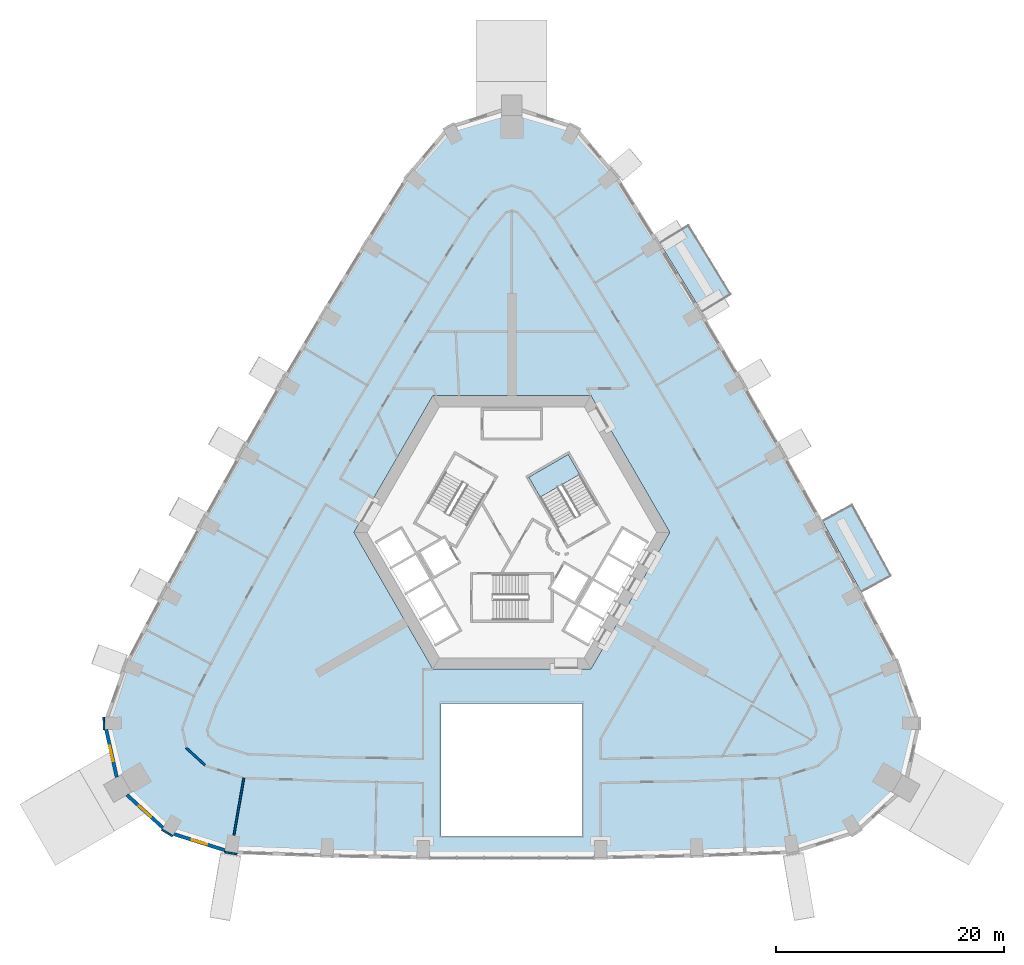
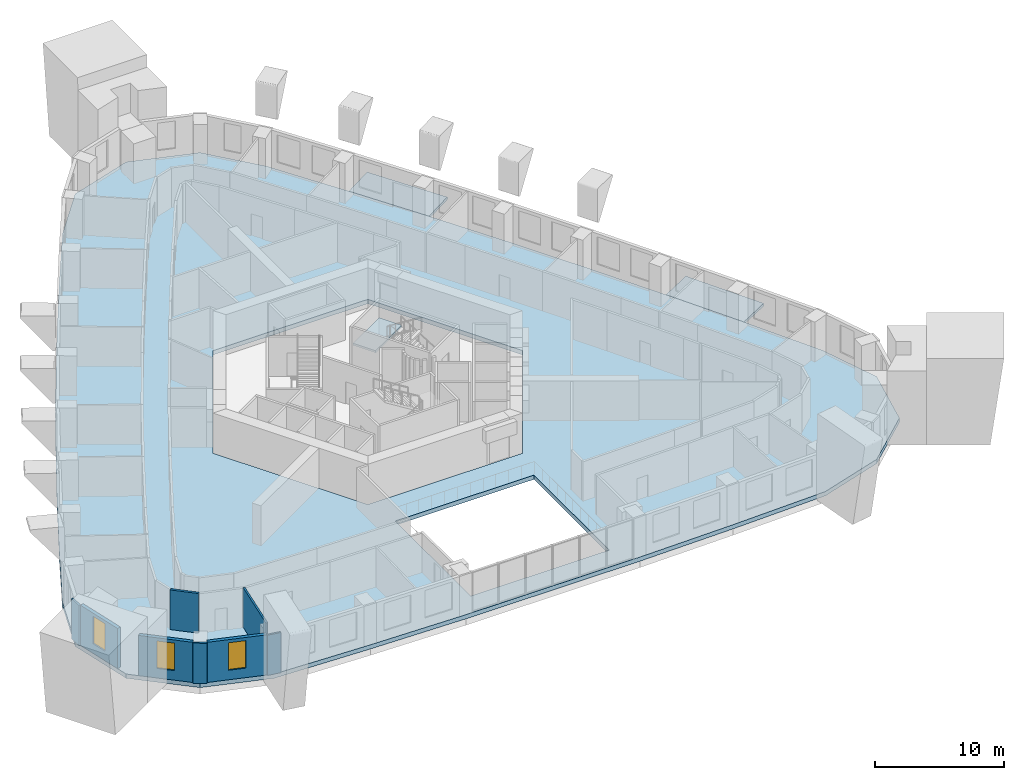
# One storey, part 3 of 14: 8 walls, 4 slabs, 3 windows, 3 openings, 1 element without a shape of its own.
"""IFC4 building model written with IfcOpenShell, lengths in metres."""

from ifc_helpers import new_model, si_unit, direction, frame, frame_2d, origin, place, context, subcontext, project, spatial, polyline, rectangle, outline, extrude, material, layer, layer_set, type_object, element, fill, aggregate, save


model = new_model("IFC4")

# Units and contexts
model_context = context("Model", 3, precision=1e-05, world=origin(), true_north=direction((0.0, 1.0)))
body_context = subcontext(model_context, "Body", "Model", "MODEL_VIEW")
ifc_project = project(units=[si_unit("LENGTHUNIT", "METRE"), si_unit("AREAUNIT", "SQUARE_METRE"), si_unit("VOLUMEUNIT", "CUBIC_METRE"), si_unit("PLANEANGLEUNIT", "RADIAN"), si_unit("MASSUNIT", "GRAM", prefix="KILO")], contexts=[model_context])

# Site, building, storey
site_placement = place(None, origin())
site = spatial("IfcSite", under=ifc_project, at=site_placement, CompositionType="ELEMENT")
building_placement = place(site_placement, origin())
building = spatial("IfcBuilding", under=site, at=building_placement, Name="Entoto Arch Interchange Tower", CompositionType="ELEMENT")
storey_placement = place(building_placement, frame((0.0, 0.0, 176.0)))
storey = spatial("IfcBuildingStorey", under=building, at=storey_placement, Name="L39", CompositionType="ELEMENT", Elevation=176.0)

# Slabs
ifc_material_1 = material(Name="Board-marked precast concrete C50/60", Category="concrete")
ifc_layer_1 = layer(ifc_material_1, 0.25)
ifc_layer_set_1 = layer_set([ifc_layer_1], Name="Board-marked precast concrete C50/60")
slab_type_1 = type_object("IfcSlabType", Name="BALCONY DECK PRECAST 250", PredefinedType="FLOOR", material=ifc_layer_set_1)
slab_1_placement = place(storey_placement, frame((0.0, 0.0, -0.25)))
element("IfcSlab", 1, at=slab_1_placement, inside=storey, type_object=slab_type_1, Name="Planted balcony NE-02 L39", PredefinedType="FLOOR", context=body_context, shape_type="SweptSolid", body=[
    extrude(outline(polyline([(30.64111328125, -2.715087890625), (27.257080078125, 3.492919921875), (29.846923828125, 4.905029296875), (33.23095703125, -1.302978515625), (30.64111328125, -2.715087890625)])), origin(), (0.0, 0.0, 1.0), 0.25),
])
slab_2_placement = place(storey_placement, frame((0.0, 0.0, -0.25)))
element("IfcSlab", 2, at=slab_2_placement, inside=storey, type_object=slab_type_1, Name="Planted balcony NE-06 L39", PredefinedType="FLOOR", context=body_context, shape_type="SweptSolid", body=[
    extrude(outline(polyline([(16.654052734375, 21.85888671875), (12.968994140625, 27.89306640625), (15.487060546875, 29.430908203125), (19.172119140625, 23.39697265625), (16.654052734375, 21.85888671875)])), origin(), (0.0, 0.0, 1.0), 0.25),
])

# Stair, slab
ifc_material_2 = material(Name="Concrete C40/50", Category="concrete")
stair_type = type_object("IfcStairType", Name="EXIT STAIR RC 1800", PredefinedType="HALF_TURN_STAIR", material=ifc_material_2)
stair_placement = place(storey_placement, origin())
stair = element("IfcStair", 3, at=stair_placement, inside=storey, type_object=stair_type, Name="L39 Exit stair NE", PredefinedType="HALF_TURN_STAIR")
ifc_layer_2 = layer(ifc_material_2, 0.199951171875)
ifc_layer_set_2 = layer_set([ifc_layer_2], Name="Concrete C40/50")
slab_type_2 = type_object("IfcSlabType", Name="EXIT STAIR LANDING RC 200", PredefinedType="LANDING", material=ifc_layer_set_2)
slab_3_placement = place(storey_placement, frame((0.0, 0.0, 1.89990234375)))
slab_3 = element("IfcSlab", 4, at=slab_3_placement, type_object=slab_type_2, Name="ST-NE landing 1", PredefinedType="LANDING", context=body_context, shape_type="SweptSolid", body=[
    extrude(outline(polyline([(5.953369140625, 7.58837890625), (4.943359375, 9.337890625), (1.479248046875, 7.337890625), (2.4892578125, 5.58837890625), (5.953369140625, 7.58837890625)])), origin(), (0.0, 0.0, 1.0), 0.2001953125),
])
aggregate(stair, [slab_3])

# Slab
ifc_layer_3 = layer(ifc_material_2, 0.39990234375)
ifc_layer_set_3 = layer_set([ifc_layer_3], Name="Concrete C40/50")
slab_type_3 = type_object("IfcSlabType", Name="Post-tensioned flat plate 400 C40/50", PredefinedType="FLOOR", material=ifc_layer_set_3)
slab_4_placement = place(storey_placement, frame((0.0, 0.0, -0.39990234375)))
element("IfcSlab", 5, at=slab_4_placement, inside=storey, type_object=slab_type_3, Name="Floor slab L39", PredefinedType="FLOOR", context=body_context, shape_type="SweptSolid", body=[
    extrude(outline(polyline([(-24.6689453125, -25.7119140625), (-16.23388671875, -26.012939453125), (-7.800048828125, -26.18896484375), (7.800048828125, -26.18896484375), (16.23388671875, -26.012939453125), (24.6689453125, -25.7119140625), (30.281005859375, -23.930908203125), (34.59912109375, -19.97509765625), (35.864990234375, -14.258056640625), (34.027099609375, -9.116943359375), (30.64111328125, -2.715087890625), (27.257080078125, 3.492919921875), (23.798095703125, 9.658935546875), (20.263916015625, 15.781005859375), (16.654052734375, 21.85888671875), (12.968994140625, 27.89306640625), (9.117919921875, 34.027099609375), (5.5849609375, 38.18896484375), (0.0, 39.950927734375), (-5.5849609375, 38.18896484375), (-9.117919921875, 34.027099609375), (-12.968994140625, 27.89306640625), (-16.654052734375, 21.85888671875), (-20.263916015625, 15.781005859375), (-23.798095703125, 9.658935546875), (-27.257080078125, 3.492919921875), (-30.64111328125, -2.715087890625), (-34.027099609375, -9.116943359375), (-35.864990234375, -14.258056640625), (-34.59912109375, -19.97509765625), (-30.281005859375, -23.930908203125), (-24.6689453125, -25.7119140625)]), holes=[polyline([(6.199951171875, -24.18896484375), (6.199951171875, -12.5), (-6.199951171875, -12.5), (-6.199951171875, -24.18896484375), (6.199951171875, -24.18896484375)]), polyline([(13.85595703125, 2.5), (6.927978515625, 14.5), (-6.927978515625, 14.5), (-13.85595703125, 2.5), (-6.927978515625, -9.5), (6.927978515625, -9.5), (13.85595703125, 2.5)])]), origin(), (0.0, 0.0, 1.0), 0.39990234375),
])

# Walls
ifc_material_3 = material(Name="Gypsum board partition on steel studs", Category="steel")
ifc_layer_4 = layer(ifc_material_3, 0.14990234375)
ifc_layer_set_4 = layer_set([ifc_layer_4], Name="Gypsum board partition on steel studs")
wall_type_1 = type_object("IfcWallType", Name="PARTITION 150", PredefinedType="PARTITIONING", material=ifc_layer_set_4)
wall_1_placement = place(storey_placement, frame((-23.514892578125, -19.049072265625, 0.0), z_axis=(0.0, 0.0, 1.0), x_axis=(-0.170669435204, -0.985328343187, 0.0)))
element("IfcWall", 6, at=wall_1_placement, inside=storey, type_object=wall_type_1, Name="wall:L39:p127", PredefinedType="PARTITIONING", context=body_context, shape_type="SweptSolid", body=[
    extrude(rectangle(XDim=5.092529296875, YDim=0.14990234375, at=frame_2d((2.54638671875, 0.0))), origin(), (0.0, 0.0, 1.0), 3.75),
])
ifc_layer_5 = layer(ifc_material_3, 0.199951171875)
ifc_layer_set_5 = layer_set([ifc_layer_5], Name="Gypsum board partition on steel studs")
wall_type_2 = type_object("IfcWallType", Name="PARTITION 200", PredefinedType="PARTITIONING", material=ifc_layer_set_5)
wall_2_placement = place(storey_placement, frame((-26.9189453125, -17.925048828125, 0.0), z_axis=(0.0, 0.0, 1.0), x_axis=(-0.737118331834, 0.675763690112, 0.0)))
element("IfcWall", 7, at=wall_2_placement, inside=storey, type_object=wall_type_2, Name="wall:L39:p072", PredefinedType="PARTITIONING", context=body_context, shape_type="SweptSolid", body=[
    extrude(rectangle(XDim=2.26416015625, YDim=0.199951171875, at=frame_2d((1.132080078125, 0.0))), origin(), (0.0, 0.0, 1.0), 3.75),
])

# Wall, opening, window
ifc_material_4 = material(Name="Welded tuff (ignimbrite) cladding, warm buff", Category="masonry")
ifc_layer_6 = layer(ifc_material_4, 0.300048828125)
ifc_layer_set_6 = layer_set([ifc_layer_6], Name="Welded tuff (ignimbrite) cladding, warm buff")
wall_type_3 = type_object("IfcWallType", Name="STONE INFILL WALL 300", PredefinedType="STANDARD", material=ifc_layer_set_6)
wall_3_placement = place(storey_placement, frame((-35.591064453125, -14.801025390625, 0.0), z_axis=(0.0, 0.0, 1.0), x_axis=(0.216102175589, -0.976370754225, 0.0)))
wall_3 = element("IfcWall", 8, at=wall_3_placement, inside=storey, type_object=wall_type_3, Name="Facade wall SW-02 L39", PredefinedType="STANDARD", context=body_context, shape_type="SweptSolid", body=[
    extrude(rectangle(XDim=4.276123046875, YDim=0.300048828125, at=frame_2d((2.13818359375, 0.0))), origin(), (0.0, 0.0, 1.0), 3.800048828125),
])
opening_1_placement = place(wall_3_placement, frame((1.43798828125, 0.0, 0.89990234375)))
opening_1 = element("IfcOpeningElement", 9, at=opening_1_placement, cuts=wall_3, Name="Opening WO-B", PredefinedType="OPENING", context=body_context, shape_type="SweptSolid", body=[
    extrude(rectangle(XDim=1.39990234375, YDim=2.60009765625, at=frame_2d((0.699951171875, 1.300048828125))), frame((0.0, 0.16015625, 0.0), z_axis=(0.0, -1.0, 0.0), x_axis=(1.0, 0.0, 0.0)), (0.0, 0.0, 1.0), 0.320068359375),
])
ifc_material_5 = material(Name="Clear glass, low-e double glazed", Category="glass")
window_type = type_object("IfcWindowType", Name="WINDOW WO-B 1400x2600", PartitioningType="DOUBLE_PANEL_VERTICAL", PredefinedType="WINDOW", material=ifc_material_5)
window_1_placement = place(opening_1_placement, origin())
window_1 = element("IfcWindow", 10, at=window_1_placement, inside=storey, type_object=window_type, Name="Window WO-B SW-02 L39", OverallHeight=2.60009765625, OverallWidth=1.39990234375, PartitioningType="SINGLE_PANEL", PredefinedType="WINDOW", context=body_context, shape_type="SweptSolid", body=[
    extrude(rectangle(XDim=1.39990234375, YDim=2.60009765625, at=frame_2d((0.699951171875, 1.300048828125))), frame((0.0, 0.030029296875, 0.0), z_axis=(0.0, -1.0, 0.0), x_axis=(1.0, 0.0, 0.0)), (0.0, 0.0, 1.0), 0.06005859375),
])
fill(opening_1, window_1)

wall_4_placement = place(storey_placement, frame((-33.76806640625, -20.532958984375, 0.0), z_axis=(0.0, 0.0, 1.0), x_axis=(0.737279680174, -0.675587650274, 0.0)))
wall_4 = element("IfcWall", 11, at=wall_4_placement, inside=storey, type_object=wall_type_3, Name="Facade wall SW-03 L39", PredefinedType="STANDARD", context=body_context, shape_type="SweptSolid", body=[
    extrude(rectangle(XDim=4.278076171875, YDim=0.300048828125, at=frame_2d((2.13916015625, 0.0))), origin(), (0.0, 0.0, 1.0), 3.800048828125),
])
opening_2_placement = place(wall_4_placement, frame((1.43896484375, 0.0, 0.89990234375)))
opening_2 = element("IfcOpeningElement", 12, at=opening_2_placement, cuts=wall_4, Name="Opening WO-B", PredefinedType="OPENING", context=body_context, shape_type="SweptSolid", body=[
    extrude(rectangle(XDim=1.39990234375, YDim=2.60009765625, at=frame_2d((0.699951171875, 1.300048828125))), frame((0.0, 0.16015625, 0.0), z_axis=(0.0, -1.0, 0.0), x_axis=(1.0, 0.0, 0.0)), (0.0, 0.0, 1.0), 0.320068359375),
])
window_2_placement = place(opening_2_placement, origin())
window_2 = element("IfcWindow", 13, at=window_2_placement, inside=storey, type_object=window_type, Name="Window WO-B SW-03 L39", OverallHeight=2.60009765625, OverallWidth=1.39990234375, PartitioningType="SINGLE_PANEL", PredefinedType="WINDOW", context=body_context, shape_type="SweptSolid", body=[
    extrude(rectangle(XDim=1.39990234375, YDim=2.60009765625, at=frame_2d((0.699951171875, 1.300048828125))), frame((0.0, 0.030029296875, 0.0), z_axis=(0.0, -1.0, 0.0), x_axis=(1.0, 0.0, 0.0)), (0.0, 0.0, 1.0), 0.06005859375),
])
fill(opening_2, window_2)

wall_5_placement = place(storey_placement, frame((-29.662109375, -23.969970703125, 0.0), z_axis=(0.0, 0.0, 1.0), x_axis=(0.953145379857, -0.302512619337, 0.0)))
wall_5 = element("IfcWall", 14, at=wall_5_placement, inside=storey, type_object=wall_type_3, Name="Facade wall SW-04 L39", PredefinedType="STANDARD", context=body_context, shape_type="SweptSolid", body=[
    extrude(rectangle(XDim=4.710693359375, YDim=0.300048828125, at=frame_2d((2.35546875, 0.0))), origin(), (0.0, 0.0, 1.0), 3.800048828125),
])
opening_3_placement = place(wall_5_placement, frame((1.655029296875, 0.0, 0.89990234375)))
opening_3 = element("IfcOpeningElement", 15, at=opening_3_placement, cuts=wall_5, Name="Opening WO-B", PredefinedType="OPENING", context=body_context, shape_type="SweptSolid", body=[
    extrude(rectangle(XDim=1.39990234375, YDim=2.60009765625, at=frame_2d((0.699951171875, 1.300048828125))), frame((0.0, 0.16015625, 0.0), z_axis=(0.0, -1.0, 0.0), x_axis=(1.0, 0.0, 0.0)), (0.0, 0.0, 1.0), 0.320068359375),
])
window_3_placement = place(opening_3_placement, origin())
window_3 = element("IfcWindow", 16, at=window_3_placement, inside=storey, type_object=window_type, Name="Window WO-B SW-04 L39", OverallHeight=2.60009765625, OverallWidth=1.39990234375, PartitioningType="SINGLE_PANEL", PredefinedType="WINDOW", context=body_context, shape_type="SweptSolid", body=[
    extrude(rectangle(XDim=1.39990234375, YDim=2.60009765625, at=frame_2d((0.699951171875, 1.300048828125))), frame((0.0, 0.030029296875, 0.0), z_axis=(0.0, -1.0, 0.0), x_axis=(1.0, 0.0, 0.0)), (0.0, 0.0, 1.0), 0.06005859375),
])
fill(opening_3, window_3)

# Walls
ifc_layer_7 = layer(ifc_material_4, 0.14990234375)
ifc_layer_set_7 = layer_set([ifc_layer_7], Name="Welded tuff (ignimbrite) cladding, warm buff")
wall_type_4 = type_object("IfcWallType", Name="STONE PIER CLADDING 150", PredefinedType="STANDARD", material=ifc_layer_set_7)
wall_6_placement = place(storey_placement, frame((-25.198974609375, -25.5458984375, 0.0), z_axis=(0.0, 0.0, 1.0), x_axis=(0.985763338892, -0.168138751323, 0.0)))
element("IfcWall", 17, at=wall_6_placement, inside=storey, type_object=wall_type_4, Name="Stone pier S01 L39", PredefinedType="STANDARD", context=body_context, shape_type="SweptSolid", body=[
    extrude(rectangle(XDim=1.1005859375, YDim=0.14990234375, at=frame_2d((0.55029296875, 0.0))), origin(), (0.0, 0.0, 1.0), 3.800048828125),
])
wall_7_placement = place(storey_placement, frame((-35.802978515625, -13.7060546875, 0.0), z_axis=(0.0, 0.0, 1.0), x_axis=(0.023522901136, -0.999723298279, 0.0)))
element("IfcWall", 18, at=wall_7_placement, inside=storey, type_object=wall_type_4, Name="Stone pier SW1 L39", PredefinedType="STANDARD", context=body_context, shape_type="SweptSolid", body=[
    extrude(rectangle(XDim=1.10009765625, YDim=0.14990234375, at=frame_2d((0.550048828125, 0.0))), origin(), (0.0, 0.0, 1.0), 3.800048828125),
])
wall_8_placement = place(storey_placement, frame((-30.7109375, -23.5810546875, 0.0), z_axis=(0.0, 0.0, 1.0), x_axis=(0.854005542721, -0.520263907071, 0.0)))
element("IfcWall", 19, at=wall_8_placement, inside=storey, type_object=wall_type_4, Name="Stone pier SW3 L39", PredefinedType="STANDARD", context=body_context, shape_type="SweptSolid", body=[
    extrude(rectangle(XDim=1.099365234375, YDim=0.14990234375, at=frame_2d((0.5498046875, 0.0))), origin(), (0.0, 0.0, 1.0), 3.800048828125),
])

save(model, "model.ifc")
